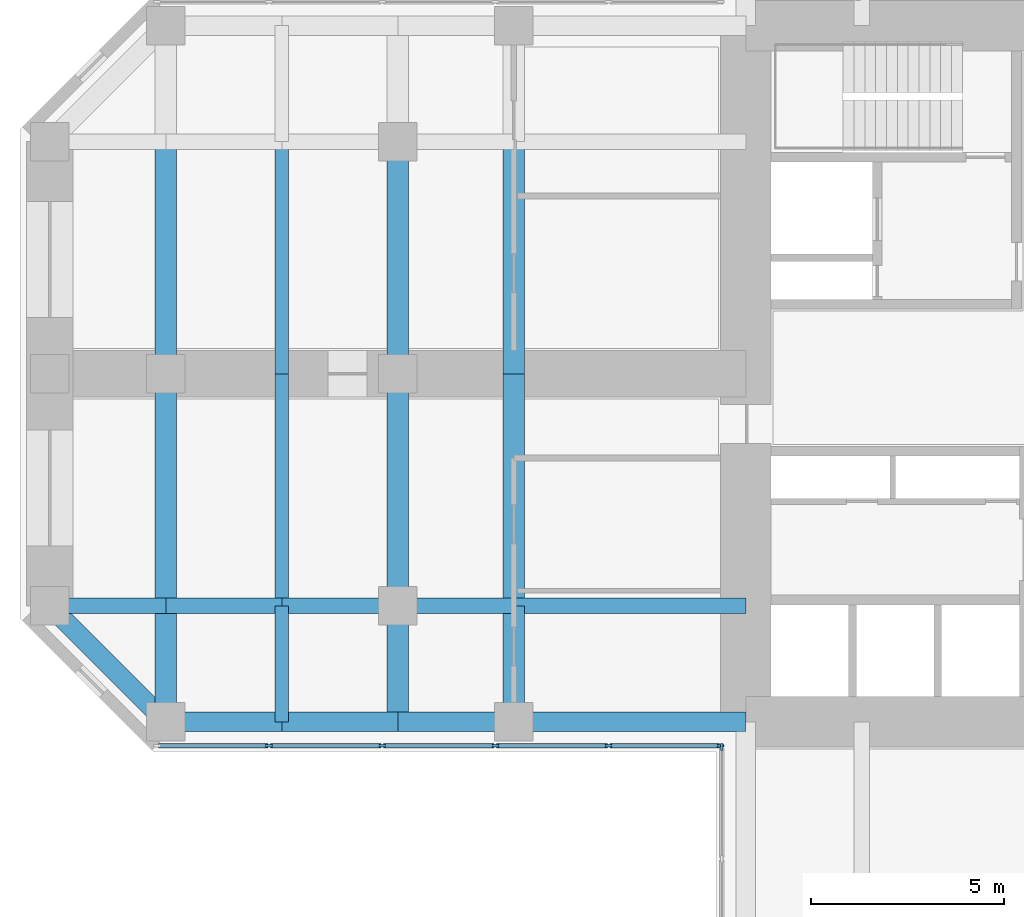
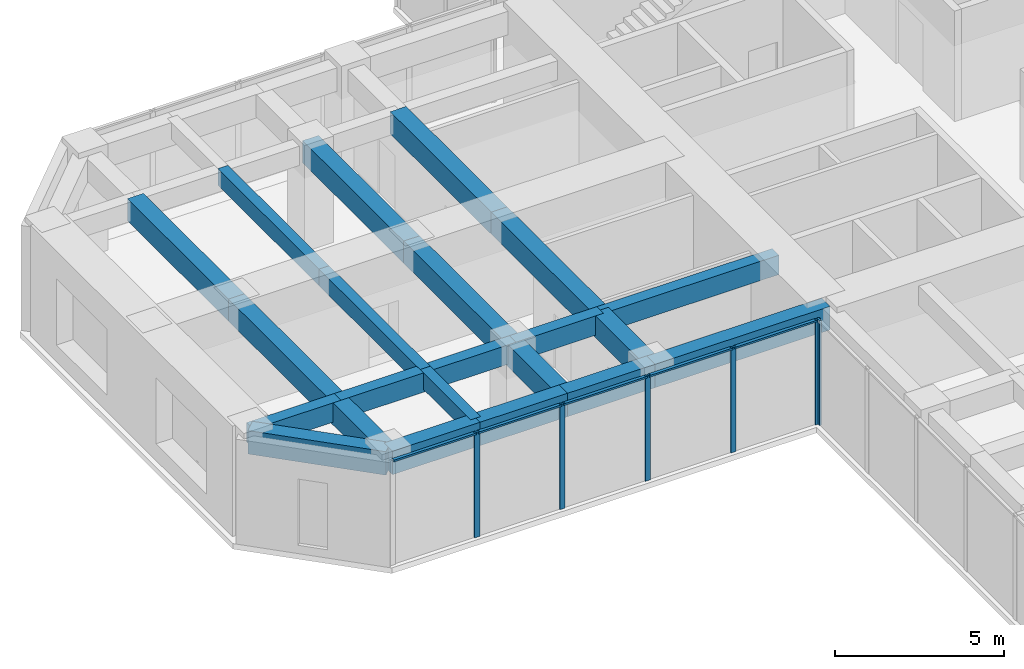
# One storey, part 3 of 12: 22 beams, 11 members, 2 elements without a shape of their own.
"""IFC4 building model written with IfcOpenShell, lengths in metres."""

from ifc_helpers import new_model, si_unit, direction, frame, origin, origin_2d, place, context, subcontext, project, spatial, rectangle, extrude, material, material_profile, profile_set, type_object, element, aggregate, save


model = new_model("IFC4")

# Units and contexts
model_context = context("Model", 3, precision=1e-05, world=origin(), true_north=direction((0.0, 1.0)))
body_context = subcontext(model_context, "Body", "Model", "MODEL_VIEW")
ifc_project = project(units=[si_unit("LENGTHUNIT", "METRE"), si_unit("AREAUNIT", "SQUARE_METRE"), si_unit("VOLUMEUNIT", "CUBIC_METRE"), si_unit("PLANEANGLEUNIT", "RADIAN"), si_unit("MASSUNIT", "GRAM", prefix="KILO")], contexts=[model_context])

# Site, building, storey
site_placement = place(None, origin())
site = spatial("IfcSite", under=ifc_project, at=site_placement, CompositionType="ELEMENT")
building_placement = place(site_placement, origin())
building = spatial("IfcBuilding", under=site, at=building_placement, Name="Torre Cruceta", CompositionType="ELEMENT")
storey_placement = place(building_placement, frame((0.0, 0.0, 144.5)))
storey = spatial("IfcBuildingStorey", under=building, at=storey_placement, Name="L35", CompositionType="ELEMENT", Elevation=144.5)

# Beams
ifc_material_1 = material(Name="Concrete G60 (fck 60 MPa)", Category="concrete")
ifc_material_profile_1 = material_profile(ifc_material_1, rectangle(XDim=0.39990234375, YDim=0.699951171875, at=origin_2d()), Name="RC 400X700")
ifc_profile_set_1 = profile_set([ifc_material_profile_1], Name="Concrete G60 (fck 60 MPa)")
beam_type_1 = type_object("IfcBeamType", Name="COLUMN LINE BEAM RC 400X700", PredefinedType="BEAM", material=ifc_profile_set_1)
beam_1_placement = place(storey_placement, frame((-9.0, -6.0, 3.449951171875), z_axis=(-1.0, 0.0, 0.0), x_axis=(0.0, -1.0, 0.0)))
element("IfcBeam", 1, at=beam_1_placement, inside=storey, type_object=beam_type_1, Name="LB5 L35 W col+ 1", PredefinedType="BEAM", context=body_context, shape_type="SweptSolid", body=[
    extrude(rectangle(XDim=0.39990234375, YDim=0.699951171875, at=origin_2d()), origin(), (0.0, 0.0, 1.0), 6.0),
])
for number, where, z_axis, x_axis, name in (
    (2, (-15.0, -6.0, 3.449951171875), (-1.0, 0.0, 0.0), (0.0, -1.0, 0.0), "LB5 L35 W col+ 2"),
    (3, (-18.0, -6.0, 3.449951171875), (-1.0, 0.0, 0.0), (0.0, -1.0, 0.0), "LB5 L35 W col+ 3"),
    (4, (-21.0, -6.0, 3.449951171875), (-1.0, 0.0, 0.0), (0.0, -1.0, 0.0), "LB5 L35 W col+ 4"),
    (5, (-24.0, -6.0, 3.449951171875), (-1.0, 0.0, 0.0), (0.0, -1.0, 0.0), "LB5 L35 W col+ 5"),
):
    element("IfcBeam", number, at=place(storey_placement, frame(where, z_axis=z_axis, x_axis=x_axis)), inside=storey, type_object=beam_type_1, Name=name, PredefinedType="BEAM", context=body_context, shape_type="SweptSolid", body=[
        extrude(rectangle(XDim=0.39990234375, YDim=0.699951171875, at=origin_2d()), origin(), (0.0, 0.0, 1.0), 3.0),
    ])
ifc_material_2 = material(Name="Concrete G60 (fck 60 MPa)", Category="concrete")
ifc_material_profile_2 = material_profile(ifc_material_2, rectangle(XDim=0.550048828125, YDim=0.800048828125, at=origin_2d()), Name="RC 550X800")
ifc_profile_set_2 = profile_set([ifc_material_profile_2], Name="Concrete G60 (fck 60 MPa)")
beam_type_2 = type_object("IfcBeamType", Name="CROSS BEAM RC 550X800", PredefinedType="BEAM", material=ifc_profile_set_2)
for number, where, z_axis, x_axis, name in (
    (6, (-15.0, 6.0, 3.39990234375), (0.0, -1.0, 0.0), (1.0, 0.0, 0.0), "GB5 L35 W cross15 2"),
    (7, (-15.0, 0.0, 3.39990234375), (0.0, -1.0, 0.0), (1.0, 0.0, 0.0), "GB5 L35 W cross15 3"),
):
    element("IfcBeam", number, at=place(storey_placement, frame(where, z_axis=z_axis, x_axis=x_axis)), inside=storey, type_object=beam_type_2, Name=name, PredefinedType="BEAM", context=body_context, shape_type="SweptSolid", body=[
        extrude(rectangle(XDim=0.550048828125, YDim=0.800048828125, at=origin_2d()), origin(), (0.0, 0.0, 1.0), 6.0),
    ])
beam_2_placement = place(storey_placement, frame((-15.0, -6.0, 3.39990234375), z_axis=(0.0, -1.0, 0.0), x_axis=(1.0, 0.0, 0.0)))
element("IfcBeam", 8, at=beam_2_placement, inside=storey, type_object=beam_type_2, Name="GB5 L35 W cross15 4", PredefinedType="BEAM", context=body_context, shape_type="SweptSolid", body=[
    extrude(rectangle(XDim=0.550048828125, YDim=0.800048828125, at=origin_2d()), origin(), (0.0, 0.0, 1.0), 3.0),
])
for number, where, z_axis, x_axis, name in (
    (9, (-18.0, 6.0, 3.39990234375), (0.0, -1.0, 0.0), (1.0, 0.0, 0.0), "GB5 L35 W cross18 2"),
    (10, (-18.0, 0.0, 3.39990234375), (0.0, -1.0, 0.0), (1.0, 0.0, 0.0), "GB5 L35 W cross18 3"),
):
    element("IfcBeam", number, at=place(storey_placement, frame(where, z_axis=z_axis, x_axis=x_axis)), inside=storey, type_object=beam_type_2, Name=name, PredefinedType="BEAM", context=body_context, shape_type="SweptSolid", body=[
        extrude(rectangle(XDim=0.550048828125, YDim=0.800048828125, at=origin_2d()), origin(), (0.0, 0.0, 1.0), 6.0),
    ])
beam_3_placement = place(storey_placement, frame((-18.0, -6.0, 3.39990234375), z_axis=(0.0, -1.0, 0.0), x_axis=(1.0, 0.0, 0.0)))
element("IfcBeam", 11, at=beam_3_placement, inside=storey, type_object=beam_type_2, Name="GB5 L35 W cross18 4", PredefinedType="BEAM", context=body_context, shape_type="SweptSolid", body=[
    extrude(rectangle(XDim=0.550048828125, YDim=0.800048828125, at=origin_2d()), origin(), (0.0, 0.0, 1.0), 3.0),
])
for number, where, z_axis, x_axis, name in (
    (12, (-24.0, 6.0, 3.39990234375), (0.0, -1.0, 0.0), (1.0, 0.0, 0.0), "GB5 L35 W cross24 2"),
    (13, (-24.0, 0.0, 3.39990234375), (0.0, -1.0, 0.0), (1.0, 0.0, 0.0), "GB5 L35 W cross24 3"),
):
    element("IfcBeam", number, at=place(storey_placement, frame(where, z_axis=z_axis, x_axis=x_axis)), inside=storey, type_object=beam_type_2, Name=name, PredefinedType="BEAM", context=body_context, shape_type="SweptSolid", body=[
        extrude(rectangle(XDim=0.550048828125, YDim=0.800048828125, at=origin_2d()), origin(), (0.0, 0.0, 1.0), 6.0),
    ])
beam_4_placement = place(storey_placement, frame((-24.0, -6.0, 3.39990234375), z_axis=(0.0, -1.0, 0.0), x_axis=(1.0, 0.0, 0.0)))
element("IfcBeam", 14, at=beam_4_placement, inside=storey, type_object=beam_type_2, Name="GB5 L35 W cross24 4", PredefinedType="BEAM", context=body_context, shape_type="SweptSolid", body=[
    extrude(rectangle(XDim=0.550048828125, YDim=0.800048828125, at=origin_2d()), origin(), (0.0, 0.0, 1.0), 3.0),
])

# Curtain wall, members
ifc_material_3 = material(Name="Aluminium unitised curtain wall", Category="aluminium")
curtain_wall_type = type_object("IfcCurtainWallType", Name="CURTAIN WALL CW-B OFFICE MID RISE", PredefinedType="USERDEFINED", material=ifc_material_3)
curtain_wall_1_placement = place(storey_placement, origin())
curtain_wall_1 = element("IfcCurtainWall", 15, at=curtain_wall_1_placement, inside=storey, type_object=curtain_wall_type, Name="CW-B L35 W side 14", ObjectType="UNITISED", PredefinedType="USERDEFINED")
ifc_material_4 = material(Name="Aluminium mullion", Category="aluminium")
ifc_material_profile_3 = material_profile(ifc_material_4, rectangle(XDim=0.06494140625, YDim=0.179931640625, at=origin_2d()), Name="AL 65X180")
ifc_profile_set_3 = profile_set([ifc_material_profile_3], Name="Aluminium mullion")
member_type_1 = type_object("IfcMemberType", Name="CW-B MULLION 65X180", PredefinedType="MULLION", material=ifc_profile_set_3)
member_1_placement = place(storey_placement, frame((-21.329345703125, -9.6201171875, 0.0), z_axis=(0.0, 0.0, 1.0), x_axis=(0.0, 1.0, 0.0)))
member_1 = element("IfcMember", 16, at=member_1_placement, type_object=member_type_1, Name="CW-B mullion 2", PredefinedType="MULLION", context=body_context, shape_type="SweptSolid", body=[
    extrude(rectangle(XDim=0.06494140625, YDim=0.179931640625, at=origin_2d()), origin(), (0.0, 0.0, 1.0), 3.800048828125),
])
member_2_placement = place(storey_placement, frame((-18.402099609375, -9.6201171875, 0.0), z_axis=(0.0, 0.0, 1.0), x_axis=(0.0, 1.0, 0.0)))
member_2 = element("IfcMember", 17, at=member_2_placement, type_object=member_type_1, Name="CW-B mullion 3", PredefinedType="MULLION", context=body_context, shape_type="SweptSolid", body=[
    extrude(rectangle(XDim=0.06494140625, YDim=0.179931640625, at=origin_2d()), origin(), (0.0, 0.0, 1.0), 3.800048828125),
])
member_3_placement = place(storey_placement, frame((-15.474609375, -9.6201171875, 0.0), z_axis=(0.0, 0.0, 1.0), x_axis=(0.0, 1.0, 0.0)))
member_3 = element("IfcMember", 18, at=member_3_placement, type_object=member_type_1, Name="CW-B mullion 4", PredefinedType="MULLION", context=body_context, shape_type="SweptSolid", body=[
    extrude(rectangle(XDim=0.06494140625, YDim=0.179931640625, at=origin_2d()), origin(), (0.0, 0.0, 1.0), 3.800048828125),
])
member_4_placement = place(storey_placement, frame((-12.54736328125, -9.6201171875, 0.0), z_axis=(0.0, 0.0, 1.0), x_axis=(0.0, 1.0, 0.0)))
member_4 = element("IfcMember", 19, at=member_4_placement, type_object=member_type_1, Name="CW-B mullion 5", PredefinedType="MULLION", context=body_context, shape_type="SweptSolid", body=[
    extrude(rectangle(XDim=0.06494140625, YDim=0.179931640625, at=origin_2d()), origin(), (0.0, 0.0, 1.0), 3.800048828125),
])
member_5_placement = place(storey_placement, frame((-9.652587890625, -9.6201171875, 0.0), z_axis=(0.0, 0.0, 1.0), x_axis=(0.0, 1.0, 0.0)))
member_5 = element("IfcMember", 20, at=member_5_placement, type_object=member_type_1, Name="CW-B mullion 6", PredefinedType="MULLION", context=body_context, shape_type="SweptSolid", body=[
    extrude(rectangle(XDim=0.06494140625, YDim=0.179931640625, at=origin_2d()), origin(), (0.0, 0.0, 1.0), 3.800048828125),
])

# Curtain wall, member
curtain_wall_2_placement = place(storey_placement, origin())
curtain_wall_2 = element("IfcCurtainWall", 21, at=curtain_wall_2_placement, inside=storey, type_object=curtain_wall_type, Name="CW-B L35 S side 15", ObjectType="UNITISED", PredefinedType="USERDEFINED")
member_6_placement = place(storey_placement, frame((-9.6201171875, -9.652587890625, 0.0), z_axis=(0.0, 0.0, 1.0), x_axis=(1.0, 0.0, 0.0)))
member_6 = element("IfcMember", 22, at=member_6_placement, type_object=member_type_1, Name="CW-B mullion 1", PredefinedType="MULLION", context=body_context, shape_type="SweptSolid", body=[
    extrude(rectangle(XDim=0.06494140625, YDim=0.179931640625, at=origin_2d()), origin(), (0.0, 0.0, 1.0), 3.800048828125),
])
aggregate(curtain_wall_2, [member_6])

# Member
ifc_material_5 = material(Name="Aluminium transom", Category="aluminium")
ifc_material_profile_4 = material_profile(ifc_material_5, rectangle(XDim=0.110107421875, YDim=0.06494140625, at=origin_2d()), Name="AL 110X65")
ifc_profile_set_4 = profile_set([ifc_material_profile_4], Name="Aluminium transom")
member_type_2 = type_object("IfcMemberType", Name="CW-B TRANSOM 65X110", PredefinedType="USERDEFINED", material=ifc_profile_set_4)
member_7_placement = place(storey_placement, frame((-24.19189453125, -9.6201171875, 3.767578125), z_axis=(1.0, 0.0, 0.0), x_axis=(0.0, 1.0, 0.0)))
member_7 = element("IfcMember", 23, at=member_7_placement, type_object=member_type_2, Name="CW-B transom 1", ObjectType="TRANSOM", PredefinedType="USERDEFINED", context=body_context, shape_type="SweptSolid", body=[
    extrude(rectangle(XDim=0.110107421875, YDim=0.06494140625, at=origin_2d()), origin(), (0.0, 0.0, 1.0), 2.829833984375),
])

member_8_placement = place(storey_placement, frame((-21.296875, -9.6201171875, 3.767578125), z_axis=(1.0, 0.0, 0.0), x_axis=(0.0, 1.0, 0.0)))
member_8 = element("IfcMember", 24, at=member_8_placement, type_object=member_type_2, Name="CW-B transom 2", ObjectType="TRANSOM", PredefinedType="USERDEFINED", context=body_context, shape_type="SweptSolid", body=[
    extrude(rectangle(XDim=0.110107421875, YDim=0.06494140625, at=origin_2d()), origin(), (0.0, 0.0, 1.0), 2.8623046875),
])

member_9_placement = place(storey_placement, frame((-18.36962890625, -9.6201171875, 3.767578125), z_axis=(1.0, 0.0, 0.0), x_axis=(0.0, 1.0, 0.0)))
member_9 = element("IfcMember", 25, at=member_9_placement, type_object=member_type_2, Name="CW-B transom 3", ObjectType="TRANSOM", PredefinedType="USERDEFINED", context=body_context, shape_type="SweptSolid", body=[
    extrude(rectangle(XDim=0.110107421875, YDim=0.06494140625, at=origin_2d()), origin(), (0.0, 0.0, 1.0), 2.8623046875),
])

member_10_placement = place(storey_placement, frame((-15.442138671875, -9.6201171875, 3.767578125), z_axis=(1.0, 0.0, 0.0), x_axis=(0.0, 1.0, 0.0)))
member_10 = element("IfcMember", 26, at=member_10_placement, type_object=member_type_2, Name="CW-B transom 4", ObjectType="TRANSOM", PredefinedType="USERDEFINED", context=body_context, shape_type="SweptSolid", body=[
    extrude(rectangle(XDim=0.110107421875, YDim=0.06494140625, at=origin_2d()), origin(), (0.0, 0.0, 1.0), 2.8623046875),
])

member_11_placement = place(storey_placement, frame((-12.514892578125, -9.6201171875, 3.767578125), z_axis=(1.0, 0.0, 0.0), x_axis=(0.0, 1.0, 0.0)))
member_11 = element("IfcMember", 27, at=member_11_placement, type_object=member_type_2, Name="CW-B transom 5", ObjectType="TRANSOM", PredefinedType="USERDEFINED", context=body_context, shape_type="SweptSolid", body=[
    extrude(rectangle(XDim=0.110107421875, YDim=0.06494140625, at=origin_2d()), origin(), (0.0, 0.0, 1.0), 2.829833984375),
])

aggregate(curtain_wall_1, [member_1, member_2, member_3, member_4, member_5, member_7, member_8, member_9, member_10, member_11])

# Beams
ifc_material_6 = material(Name="Concrete G60 (fck 60 MPa)", Category="concrete")
ifc_material_profile_5 = material_profile(ifc_material_6, rectangle(XDim=0.35009765625, YDim=0.60009765625, at=origin_2d()), Name="RC 350X600")
ifc_profile_set_5 = profile_set([ifc_material_profile_5], Name="Concrete G60 (fck 60 MPa)")
beam_type_3 = type_object("IfcBeamType", Name="SECONDARY BEAM RC 350X600", PredefinedType="JOIST", material=ifc_profile_set_5)
for number, where, z_axis, x_axis, name in (
    (28, (-21.0, 6.0, 3.5), (0.0, -1.0, 0.0), (1.0, 0.0, 0.0), "JB5 L35 W sec21 2"),
    (29, (-21.0, 0.0, 3.5), (0.0, -1.0, 0.0), (1.0, 0.0, 0.0), "JB5 L35 W sec21 3"),
):
    element("IfcBeam", number, at=place(storey_placement, frame(where, z_axis=z_axis, x_axis=x_axis)), inside=storey, type_object=beam_type_3, Name=name, PredefinedType="JOIST", context=body_context, shape_type="SweptSolid", body=[
        extrude(rectangle(XDim=0.35009765625, YDim=0.60009765625, at=origin_2d()), origin(), (0.0, 0.0, 1.0), 6.0),
    ])
beam_5_placement = place(storey_placement, frame((-21.0, -6.0, 3.5), z_axis=(0.0, -1.0, 0.0), x_axis=(1.0, 0.0, 0.0)))
element("IfcBeam", 30, at=beam_5_placement, inside=storey, type_object=beam_type_3, Name="JB5 L35 W sec21 4", PredefinedType="JOIST", context=body_context, shape_type="SweptSolid", body=[
    extrude(rectangle(XDim=0.35009765625, YDim=0.60009765625, at=origin_2d()), origin(), (0.0, 0.0, 1.0), 3.0),
])
ifc_material_7 = material(Name="Concrete G60 (fck 60 MPa)", Category="concrete")
ifc_material_profile_6 = material_profile(ifc_material_7, rectangle(XDim=0.5, YDim=0.85009765625, at=origin_2d()), Name="RC 500X850")
ifc_profile_set_6 = profile_set([ifc_material_profile_6], Name="Concrete G60 (fck 60 MPa)")
beam_type_4 = type_object("IfcBeamType", Name="SPANDREL BEAM RC 500X850", PredefinedType="SPANDREL", material=ifc_profile_set_6)
beam_6_placement = place(storey_placement, frame((-9.0, -9.0, 3.375), z_axis=(-1.0, 0.0, 0.0), x_axis=(0.0, -1.0, 0.0)))
element("IfcBeam", 31, at=beam_6_placement, inside=storey, type_object=beam_type_4, Name="SB5 L35 W side+ 1", PredefinedType="SPANDREL", context=body_context, shape_type="SweptSolid", body=[
    extrude(rectangle(XDim=0.5, YDim=0.85009765625, at=origin_2d()), origin(), (0.0, 0.0, 1.0), 6.0),
])
for number, where, z_axis, x_axis, name in (
    (32, (-15.0, -9.0, 3.375), (-1.0, 0.0, 0.0), (0.0, -1.0, 0.0), "SB5 L35 W side+ 2"),
    (33, (-18.0, -9.0, 3.375), (-1.0, 0.0, 0.0), (0.0, -1.0, 0.0), "SB5 L35 W side+ 3"),
    (34, (-21.0, -9.0, 3.375), (-1.0, 0.0, 0.0), (0.0, -1.0, 0.0), "SB5 L35 W side+ 4"),
):
    element("IfcBeam", number, at=place(storey_placement, frame(where, z_axis=z_axis, x_axis=x_axis)), inside=storey, type_object=beam_type_4, Name=name, PredefinedType="SPANDREL", context=body_context, shape_type="SweptSolid", body=[
        extrude(rectangle(XDim=0.5, YDim=0.85009765625, at=origin_2d()), origin(), (0.0, 0.0, 1.0), 3.0),
    ])
beam_7_placement = place(storey_placement, frame((-24.0, -9.0, 3.375), z_axis=(-0.707106781187, 0.707106781187, 0.0), x_axis=(-0.707106781187, -0.707106781187, 0.0)))
element("IfcBeam", 35, at=beam_7_placement, inside=storey, type_object=beam_type_4, Name="SB5 L35 W side+ 5", PredefinedType="SPANDREL", context=body_context, shape_type="SweptSolid", body=[
    extrude(rectangle(XDim=0.5, YDim=0.85009765625, at=origin_2d()), origin(), (0.0, 0.0, 1.0), 4.24267578125),
])

save(model, "model.ifc")
